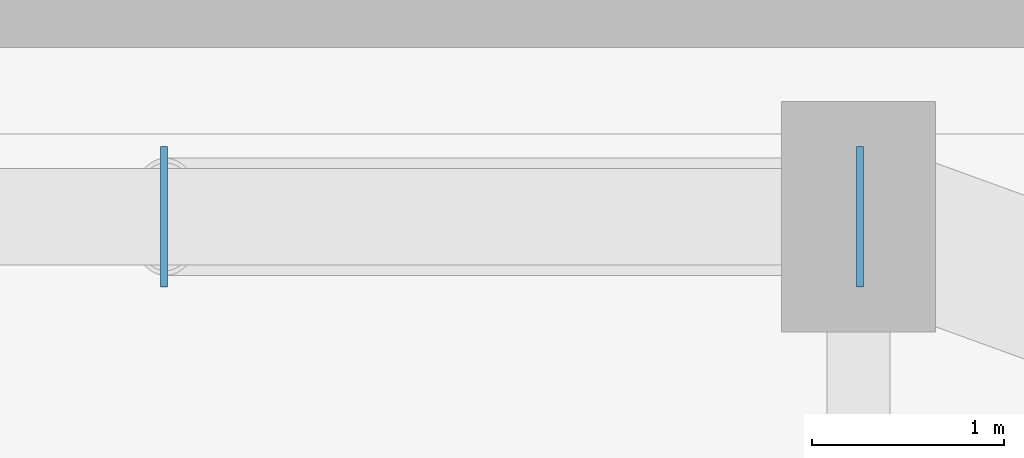
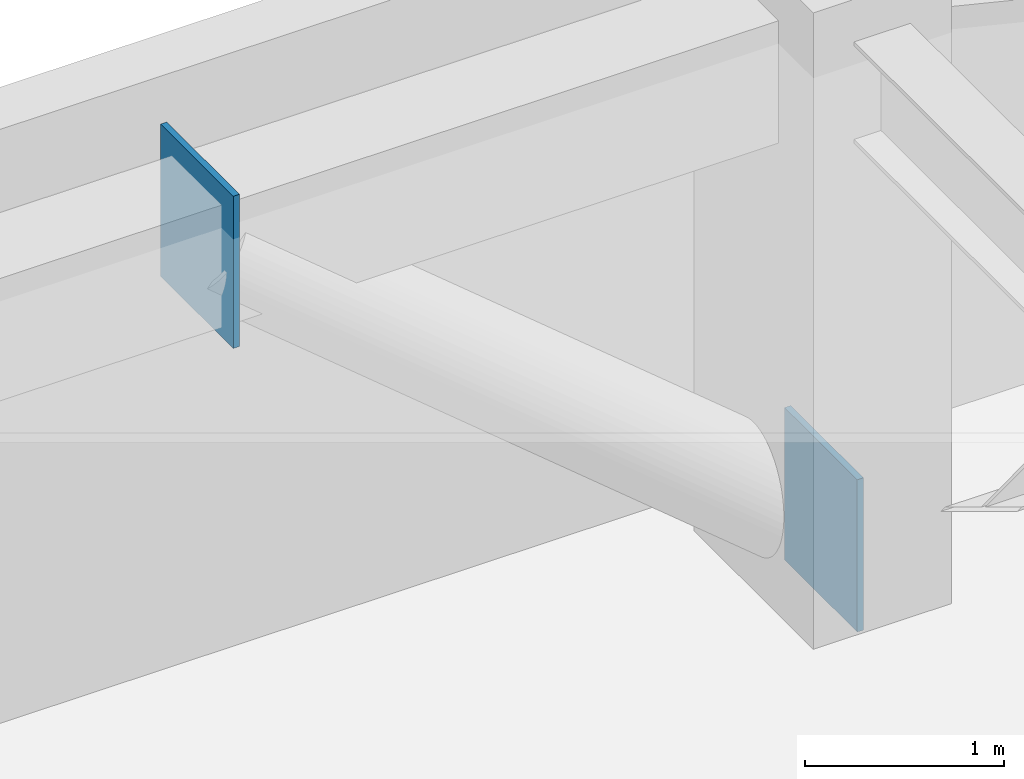
# One storey, part 17 of 24: 2 plates.
"""IFC4 building model written with IfcOpenShell, lengths in metres."""

from ifc_helpers import new_model, si_unit, direction, frame, origin, origin_2d, place, context, subcontext, project, spatial, rectangle, extrude, material, layer, layer_set, type_object, element, save


model = new_model("IFC4")

# Units and contexts
model_context = context("Model", 3, precision=1e-05, world=origin(), true_north=direction((0.0, 1.0)))
body_context = subcontext(model_context, "Body", "Model", "MODEL_VIEW")
ifc_project = project(units=[si_unit("LENGTHUNIT", "METRE"), si_unit("AREAUNIT", "SQUARE_METRE"), si_unit("VOLUMEUNIT", "CUBIC_METRE"), si_unit("PLANEANGLEUNIT", "RADIAN"), si_unit("MASSUNIT", "GRAM", prefix="KILO")], contexts=[model_context])

# Site, building, storey
site_placement = place(None, origin())
site = spatial("IfcSite", under=ifc_project, at=site_placement, CompositionType="ELEMENT")
building_placement = place(site_placement, origin())
building = spatial("IfcBuilding", under=site, at=building_placement, Name="Kiyonajd Concourse Tower", CompositionType="ELEMENT")
storey_placement = place(building_placement, frame((0.0, 0.0, 133.800048828125)))
storey = spatial("IfcBuildingStorey", under=building, at=storey_placement, Name="L34", CompositionType="ELEMENT", Elevation=133.800048828125)

# Plates
ifc_material = material(Name="Steel ASTM A572 Grade 50", Category="steel")
ifc_layer = layer(ifc_material, 0.028076171875)
ifc_layer_set = layer_set([ifc_layer], Name="Steel ASTM A572 Grade 50")
plate_type = type_object("IfcPlateType", Name="PL-CAP-450", PredefinedType="USERDEFINED", material=ifc_layer_set)
for number, where, z_axis, x_axis, name in (
    (1, (63.6083984375, 61.199951171875, -0.173583984375), (0.0, 0.0, 1.0), (1.0, 0.0, 0.0), "L34 Hollow Brace End Cap Plate PBN"),
    (2, (59.991455078125, 61.199951171875, 2.830322265625), (0.0, 0.0, 1.0), (-1.0, 0.0, 0.0), "L34 Hollow Brace Top Cap Plate PBN"),
):
    element("IfcPlate", number, at=place(storey_placement, frame(where, z_axis=z_axis, x_axis=x_axis)), inside=storey, type_object=plate_type, Name=name, ObjectType="CAP PLATE", PredefinedType="USERDEFINED", context=body_context, shape_type="SweptSolid", body=[
        extrude(rectangle(XDim=0.035888671875, YDim=0.72998046875, at=origin_2d()), origin(), (0.0, 0.0, 1.0), 0.93310546875),
    ])

save(model, "model.ifc")
